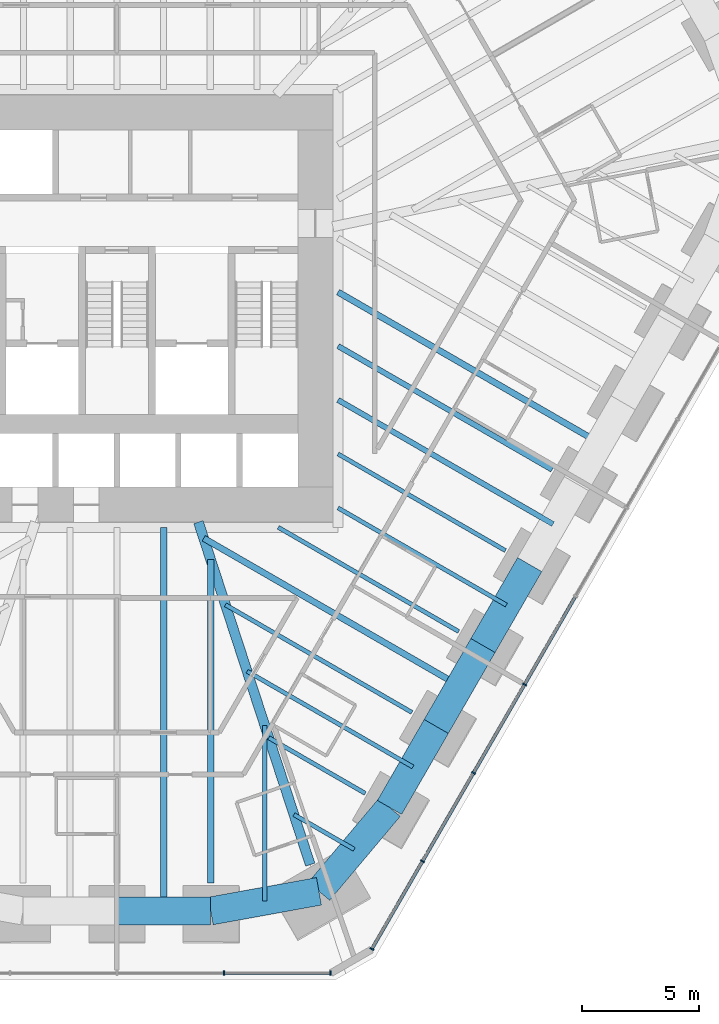
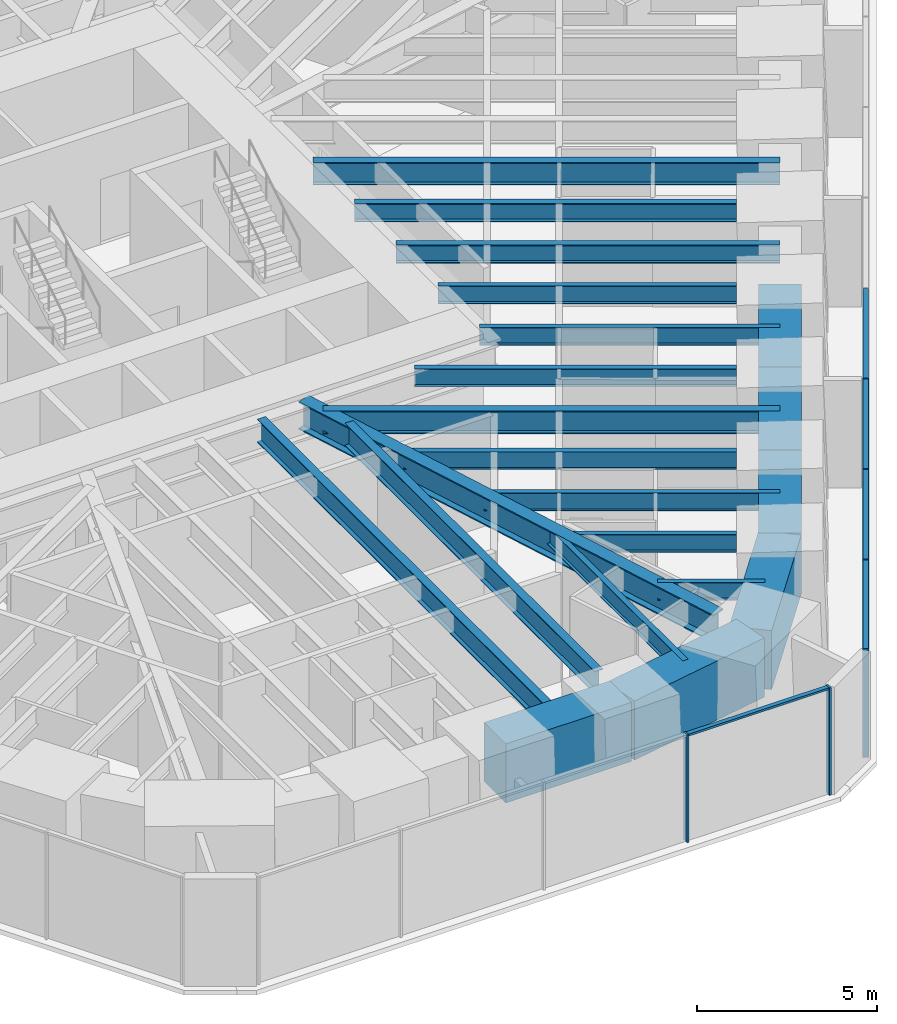
# One storey, part 5 of 17: 21 beams, 11 members, 2 elements without a shape of their own.
"""IFC4 building model written with IfcOpenShell, lengths in metres."""

from ifc_helpers import new_model, si_unit, direction, frame, origin, origin_2d, place, context, subcontext, project, spatial, rectangle, i_section, extrude, material, material_profile, profile_set, type_object, element, aggregate, save


model = new_model("IFC4")

# Units and contexts
model_context = context("Model", 3, precision=1e-05, world=origin(), true_north=direction((0.0, 1.0)))
body_context = subcontext(model_context, "Body", "Model", "MODEL_VIEW")
ifc_project = project(units=[si_unit("LENGTHUNIT", "METRE"), si_unit("AREAUNIT", "SQUARE_METRE"), si_unit("VOLUMEUNIT", "CUBIC_METRE"), si_unit("PLANEANGLEUNIT", "RADIAN"), si_unit("MASSUNIT", "GRAM", prefix="KILO")], contexts=[model_context])

# Site, building, storey
site_placement = place(None, origin())
site = spatial("IfcSite", under=ifc_project, at=site_placement, CompositionType="ELEMENT")
building_placement = place(site_placement, origin())
building = spatial("IfcBuilding", under=site, at=building_placement, Name="Sandreach Pilgrim Tower", CompositionType="ELEMENT")
storey_placement = place(building_placement, frame((0.0, 0.0, 83.800048828125)))
storey = spatial("IfcBuildingStorey", under=building, at=storey_placement, Name="L20", CompositionType="ELEMENT", Elevation=83.800048828125)

# Curtain wall, members
ifc_material_1 = material(Name="Aluminium framed curtain wall", Category="aluminium")
curtain_wall_type = type_object("IfcCurtainWallType", Name="Hostel tower curtain wall", PredefinedType="NOTDEFINED", material=ifc_material_1)
curtain_wall_1_placement = place(storey_placement, origin())
curtain_wall_1 = element("IfcCurtainWall", 1, at=curtain_wall_1_placement, inside=storey, type_object=curtain_wall_type, Name="CW-1 L20 SE", PredefinedType="NOTDEFINED")
ifc_material_2 = material(Name="Aluminium extrusion", Category="aluminium")
ifc_material_profile_1 = material_profile(ifc_material_2, rectangle(XDim=0.06494140625, YDim=0.179931640625, at=origin_2d()), Name="CW-1M 65X180")
ifc_profile_set_1 = profile_set([ifc_material_profile_1], Name="Aluminium extrusion")
member_type_1 = type_object("IfcMemberType", Name="CW-1 mullion", PredefinedType="MULLION", material=ifc_profile_set_1)
member_1_placement = place(storey_placement, frame((17.46142578125, -17.6533203125, 0.0), z_axis=(0.0, 0.0, 1.0), x_axis=(-0.5, -0.866025403784, 0.0)))
member_1 = element("IfcMember", 2, at=member_1_placement, type_object=member_type_1, Name="CW-1 mullion 7", PredefinedType="MULLION", context=body_context, shape_type="SweptSolid", body=[
    extrude(rectangle(XDim=0.06494140625, YDim=0.179931640625, at=origin_2d()), origin(), (0.0, 0.0, 1.0), 3.639892578125),
])
member_2_placement = place(storey_placement, frame((15.275634765625, -21.439208984375, 0.0), z_axis=(0.0, 0.0, 1.0), x_axis=(-0.5, -0.866025403784, 0.0)))
member_2 = element("IfcMember", 3, at=member_2_placement, type_object=member_type_1, Name="CW-1 mullion 8", PredefinedType="MULLION", context=body_context, shape_type="SweptSolid", body=[
    extrude(rectangle(XDim=0.06494140625, YDim=0.179931640625, at=origin_2d()), origin(), (0.0, 0.0, 1.0), 3.639892578125),
])
member_3_placement = place(storey_placement, frame((13.08984375, -25.22509765625, 0.0), z_axis=(0.0, 0.0, 1.0), x_axis=(-0.5, -0.866025403784, 0.0)))
member_3 = element("IfcMember", 4, at=member_3_placement, type_object=member_type_1, Name="CW-1 mullion 9", PredefinedType="MULLION", context=body_context, shape_type="SweptSolid", body=[
    extrude(rectangle(XDim=0.06494140625, YDim=0.179931640625, at=origin_2d()), origin(), (0.0, 0.0, 1.0), 3.639892578125),
])
member_4_placement = place(storey_placement, frame((10.92041015625, -28.982666015625, 0.0), z_axis=(0.0, 0.0, 1.0), x_axis=(-0.5, -0.866025403784, 0.0)))
member_4 = element("IfcMember", 5, at=member_4_placement, type_object=member_type_1, Name="CW-1 mullion 10", PredefinedType="MULLION", context=body_context, shape_type="SweptSolid", body=[
    extrude(rectangle(XDim=0.06494140625, YDim=0.179931640625, at=origin_2d()), origin(), (0.0, 0.0, 1.0), 3.639892578125),
])

curtain_wall_2_placement = place(storey_placement, origin())
curtain_wall_2 = element("IfcCurtainWall", 6, at=curtain_wall_2_placement, inside=storey, type_object=curtain_wall_type, Name="CW-1 L20 S", PredefinedType="NOTDEFINED")
member_5_placement = place(storey_placement, frame((9.1396484375, -30.010986328125, 0.0), z_axis=(0.0, 0.0, 1.0), x_axis=(-1.0, 0.0, 0.0)))
member_5 = element("IfcMember", 7, at=member_5_placement, type_object=member_type_1, Name="CW-1 mullion 1", PredefinedType="MULLION", context=body_context, shape_type="SweptSolid", body=[
    extrude(rectangle(XDim=0.06494140625, YDim=0.179931640625, at=origin_2d()), origin(), (0.0, 0.0, 1.0), 3.639892578125),
])
member_6_placement = place(storey_placement, frame((4.5859375, -30.010986328125, 0.0), z_axis=(0.0, 0.0, 1.0), x_axis=(-1.0, 0.0, 0.0)))
member_6 = element("IfcMember", 8, at=member_6_placement, type_object=member_type_1, Name="CW-1 mullion 2", PredefinedType="MULLION", context=body_context, shape_type="SweptSolid", body=[
    extrude(rectangle(XDim=0.06494140625, YDim=0.179931640625, at=origin_2d()), origin(), (0.0, 0.0, 1.0), 3.639892578125),
])

# Member
ifc_material_3 = material(Name="Aluminium extrusion", Category="aluminium")
ifc_material_profile_2 = material_profile(ifc_material_3, rectangle(XDim=0.139892578125, YDim=0.070068359375, at=origin_2d()), Name="CW-1T 140X70")
ifc_profile_set_2 = profile_set([ifc_material_profile_2], Name="Aluminium extrusion")
member_type_2 = type_object("IfcMemberType", Name="CW-1 transom", PredefinedType="USERDEFINED", material=ifc_profile_set_2)
member_7_placement = place(storey_placement, frame((19.631103515625, -13.8955078125, 3.60498046875), z_axis=(-0.500016891966, -0.866015650984, 0.0), x_axis=(0.866015650984, -0.500016891966, 0.0)))
member_7 = element("IfcMember", 9, at=member_7_placement, type_object=member_type_2, Name="CW-1 head transom 6", ObjectType="TRANSOM", PredefinedType="USERDEFINED", context=body_context, shape_type="SweptSolid", body=[
    extrude(rectangle(XDim=0.139892578125, YDim=0.070068359375, at=origin_2d()), origin(), (0.0, 0.0, 1.0), 4.306396484375),
])

member_8_placement = place(storey_placement, frame((17.4453125, -17.681396484375, 3.60498046875), z_axis=(-0.500016891966, -0.866015650984, 0.0), x_axis=(0.866015650984, -0.500016891966, 0.0)))
member_8 = element("IfcMember", 10, at=member_8_placement, type_object=member_type_2, Name="CW-1 head transom 7", ObjectType="TRANSOM", PredefinedType="USERDEFINED", context=body_context, shape_type="SweptSolid", body=[
    extrude(rectangle(XDim=0.139892578125, YDim=0.070068359375, at=origin_2d()), origin(), (0.0, 0.0, 1.0), 4.306396484375),
])

member_9_placement = place(storey_placement, frame((15.259521484375, -21.46728515625, 3.60498046875), z_axis=(-0.500016891966, -0.866015650984, 0.0), x_axis=(0.866015650984, -0.500016891966, 0.0)))
member_9 = element("IfcMember", 11, at=member_9_placement, type_object=member_type_2, Name="CW-1 head transom 8", ObjectType="TRANSOM", PredefinedType="USERDEFINED", context=body_context, shape_type="SweptSolid", body=[
    extrude(rectangle(XDim=0.139892578125, YDim=0.070068359375, at=origin_2d()), origin(), (0.0, 0.0, 1.0), 4.306396484375),
])

member_10_placement = place(storey_placement, frame((13.07373046875, -25.253173828125, 3.60498046875), z_axis=(-0.500033953635, -0.866005799756, 0.0), x_axis=(0.866005799756, -0.500033953635, 0.0)))
member_10 = element("IfcMember", 12, at=member_10_placement, type_object=member_type_2, Name="CW-1 head transom 9", ObjectType="TRANSOM", PredefinedType="USERDEFINED", context=body_context, shape_type="SweptSolid", body=[
    extrude(rectangle(XDim=0.139892578125, YDim=0.070068359375, at=origin_2d()), origin(), (0.0, 0.0, 1.0), 4.274169921875),
])

aggregate(curtain_wall_1, [member_1, member_2, member_3, member_4, member_7, member_8, member_9, member_10])

member_11_placement = place(storey_placement, frame((9.107177734375, -30.010986328125, 3.60498046875), z_axis=(-1.0, 0.0, 0.0), x_axis=(0.0, -1.0, 0.0)))
member_11 = element("IfcMember", 13, at=member_11_placement, type_object=member_type_2, Name="CW-1 head transom 1", ObjectType="TRANSOM", PredefinedType="USERDEFINED", context=body_context, shape_type="SweptSolid", body=[
    extrude(rectangle(XDim=0.139892578125, YDim=0.070068359375, at=origin_2d()), origin(), (0.0, 0.0, 1.0), 4.488525390625),
])

aggregate(curtain_wall_2, [member_5, member_6, member_11])

# Beams
ifc_material_4 = material(Name="Steel ASTM A992 Grade 50", Category="steel")
ifc_material_profile_3 = material_profile(ifc_material_4, i_section(OverallWidth=0.421630859375, OverallDepth=0.937255859375, WebThickness=0.0224609375, FlangeThickness=0.039794921875, at=origin_2d()), Name="W36X282")
ifc_profile_set_3 = profile_set([ifc_material_profile_3], Name="Steel ASTM A992 Grade 50")
beam_type_1 = type_object("IfcBeamType", Name="Corner girder W36X282", PredefinedType="BEAM", material=ifc_profile_set_3)
beam_1_placement = place(storey_placement, frame((8.2822265625, -25.372314453125, 3.17138671875), z_axis=(-0.310318350316, 0.950632695344, 0.0), x_axis=(-0.950632695344, -0.310318350316, 0.0)))
element("IfcBeam", 14, at=beam_1_placement, inside=storey, type_object=beam_type_1, Name="BM L20 CG22", PredefinedType="BEAM", context=body_context, shape_type="SweptSolid", body=[
    extrude(i_section(OverallWidth=0.421630859375, OverallDepth=0.937255859375, WebThickness=0.0224609375, FlangeThickness=0.039794921875, at=origin_2d()), origin(), (0.0, 0.0, 1.0), 15.434326171875),
])
ifc_material_5 = material(Name="Steel ASTM A992 Grade 50", Category="steel")
ifc_material_profile_4 = material_profile(ifc_material_5, i_section(OverallWidth=0.1787109375, OverallDepth=0.60205078125, WebThickness=0.010986328125, FlangeThickness=0.014892578125, at=origin_2d()), Name="W24X62")
ifc_profile_set_4 = profile_set([ifc_material_profile_4], Name="Steel ASTM A992 Grade 50")
beam_type_2 = type_object("IfcBeamType", Name="Floor beam W24X62", PredefinedType="BEAM", material=ifc_profile_set_4)
beam_2_placement = place(storey_placement, frame((16.641845703125, -11.919189453125, 3.3388671875), z_axis=(-0.866013213425, 0.500021113727, 0.0), x_axis=(-0.500021113727, -0.866013213425, 0.0)))
element("IfcBeam", 15, at=beam_2_placement, inside=storey, type_object=beam_type_2, Name="BM L20 F18", PredefinedType="BEAM", context=body_context, shape_type="SweptSolid", body=[
    extrude(i_section(OverallWidth=0.1787109375, OverallDepth=0.60205078125, WebThickness=0.010986328125, FlangeThickness=0.014892578125, at=origin_2d()), origin(), (0.0, 0.0, 1.0), 8.279052734375),
])
beam_3_placement = place(storey_placement, frame((14.640380859375, -15.385498046875, 3.3388671875), z_axis=(-0.866022991108, 0.500004178855, 0.0), x_axis=(-0.500004178855, -0.866022991108, 0.0)))
element("IfcBeam", 16, at=beam_3_placement, inside=storey, type_object=beam_type_2, Name="BM L20 F19", PredefinedType="BEAM", context=body_context, shape_type="SweptSolid", body=[
    extrude(i_section(OverallWidth=0.1787109375, OverallDepth=0.60205078125, WebThickness=0.010986328125, FlangeThickness=0.014892578125, at=origin_2d()), origin(), (0.0, 0.0, 1.0), 8.9267578125),
])
beam_4_placement = place(storey_placement, frame((12.63916015625, -18.85205078125, 3.3388671875), z_axis=(-0.866018602839, 0.500011779398, 0.0), x_axis=(-0.500011779398, -0.866018602839, 0.0)))
element("IfcBeam", 17, at=beam_4_placement, inside=storey, type_object=beam_type_2, Name="BM L20 F20", PredefinedType="BEAM", context=body_context, shape_type="SweptSolid", body=[
    extrude(i_section(OverallWidth=0.1787109375, OverallDepth=0.60205078125, WebThickness=0.010986328125, FlangeThickness=0.014892578125, at=origin_2d()), origin(), (0.0, 0.0, 1.0), 9.227783203125),
])
beam_5_placement = place(storey_placement, frame((10.6376953125, -22.318359375, 3.3388671875), z_axis=(-0.866020229892, 0.500008961337, 0.0), x_axis=(-0.500008961337, -0.866020229892, 0.0)))
element("IfcBeam", 18, at=beam_5_placement, inside=storey, type_object=beam_type_2, Name="BM L20 F21", PredefinedType="BEAM", context=body_context, shape_type="SweptSolid", body=[
    extrude(i_section(OverallWidth=0.1787109375, OverallDepth=0.60205078125, WebThickness=0.010986328125, FlangeThickness=0.014892578125, at=origin_2d()), origin(), (0.0, 0.0, 1.0), 4.77001953125),
])
beam_6_placement = place(storey_placement, frame((16.680419921875, -14.252197265625, 3.3388671875), z_axis=(-0.866028791134, 0.499994132893, 0.0), x_axis=(-0.499994132893, -0.866028791134, 0.0)))
element("IfcBeam", 19, at=beam_6_placement, inside=storey, type_object=beam_type_2, Name="BM L20 FM18", PredefinedType="BEAM", context=body_context, shape_type="SweptSolid", body=[
    extrude(i_section(OverallWidth=0.1787109375, OverallDepth=0.60205078125, WebThickness=0.010986328125, FlangeThickness=0.014892578125, at=origin_2d()), origin(), (0.0, 0.0, 1.0), 8.3232421875),
])
beam_7_placement = place(storey_placement, frame((12.677734375, -21.18505859375, 3.3388671875), z_axis=(-0.866033852062, 0.499985366868, 0.0), x_axis=(-0.499985366868, -0.866033852062, 0.0)))
element("IfcBeam", 20, at=beam_7_placement, inside=storey, type_object=beam_type_2, Name="BM L20 FM20", PredefinedType="BEAM", context=body_context, shape_type="SweptSolid", body=[
    extrude(i_section(OverallWidth=0.1787109375, OverallDepth=0.60205078125, WebThickness=0.010986328125, FlangeThickness=0.014892578125, at=origin_2d()), origin(), (0.0, 0.0, 1.0), 8.198974609375),
])
beam_8_placement = place(storey_placement, frame((10.165771484375, -24.7158203125, 3.3388671875), z_axis=(-0.866009892282, 0.500026865748, 0.0), x_axis=(-0.500026865748, -0.866009892282, 0.0)))
element("IfcBeam", 21, at=beam_8_placement, inside=storey, type_object=beam_type_2, Name="BM L20 FM21", PredefinedType="BEAM", context=body_context, shape_type="SweptSolid", body=[
    extrude(i_section(OverallWidth=0.1787109375, OverallDepth=0.60205078125, WebThickness=0.010986328125, FlangeThickness=0.014892578125, at=origin_2d()), origin(), (0.0, 0.0, 1.0), 2.985107421875),
])
beam_9_placement = place(storey_placement, frame((6.3359375, -26.933837890625, 3.3388671875), z_axis=(0.0, 1.0, 0.0), x_axis=(-1.0, 0.0, 0.0)))
element("IfcBeam", 22, at=beam_9_placement, inside=storey, type_object=beam_type_2, Name="BM L20 FM22", PredefinedType="BEAM", context=body_context, shape_type="SweptSolid", body=[
    extrude(i_section(OverallWidth=0.1787109375, OverallDepth=0.60205078125, WebThickness=0.010986328125, FlangeThickness=0.014892578125, at=origin_2d()), origin(), (0.0, 0.0, 1.0), 7.52392578125),
])
ifc_material_6 = material(Name="Steel ASTM A992 Grade 50", Category="steel")
ifc_material_profile_5 = material_profile(ifc_material_6, i_section(OverallWidth=0.23046875, OverallDepth=0.6171875, WebThickness=0.01318359375, FlangeThickness=0.022216796875, at=origin_2d()), Name="W24X94")
ifc_profile_set_5 = profile_set([ifc_material_profile_5], Name="Steel ASTM A992 Grade 50")
beam_type_3 = type_object("IfcBeamType", Name="Floor beam W24X94", PredefinedType="BEAM", material=ifc_profile_set_5)
beam_10_placement = place(storey_placement, frame((18.64306640625, -8.45263671875, 3.331298828125), z_axis=(-0.866021265955, 0.500007166863, 0.0), x_axis=(-0.500007166863, -0.866021265955, 0.0)))
element("IfcBeam", 23, at=beam_10_placement, inside=storey, type_object=beam_type_3, Name="BM L20 F17", PredefinedType="BEAM", context=body_context, shape_type="SweptSolid", body=[
    extrude(i_section(OverallWidth=0.23046875, OverallDepth=0.6171875, WebThickness=0.01318359375, FlangeThickness=0.022216796875, at=origin_2d()), origin(), (0.0, 0.0, 1.0), 10.589599609375),
])
beam_11_placement = place(storey_placement, frame((18.681640625, -10.785888671875, 3.331298828125), z_axis=(-0.866023483693, 0.500003325681, 0.0), x_axis=(-0.500003325681, -0.866023483693, 0.0)))
element("IfcBeam", 24, at=beam_11_placement, inside=storey, type_object=beam_type_3, Name="BM L20 FM17", PredefinedType="BEAM", context=body_context, shape_type="SweptSolid", body=[
    extrude(i_section(OverallWidth=0.23046875, OverallDepth=0.6171875, WebThickness=0.01318359375, FlangeThickness=0.022216796875, at=origin_2d()), origin(), (0.0, 0.0, 1.0), 10.63427734375),
])
ifc_material_7 = material(Name="Steel ASTM A992 Grade 50", Category="steel")
ifc_material_profile_6 = material_profile(ifc_material_7, i_section(OverallWidth=0.2666015625, OverallDepth=0.761962890625, WebThickness=0.014404296875, FlangeThickness=0.021484375, at=origin_2d()), Name="W30X116")
ifc_profile_set_6 = profile_set([ifc_material_profile_6], Name="Steel ASTM A992 Grade 50")
beam_type_4 = type_object("IfcBeamType", Name="Floor beam W30X116", PredefinedType="BEAM", material=ifc_profile_set_6)
beam_12_placement = place(storey_placement, frame((4.017333984375, -26.15478515625, 3.259033203125), z_axis=(0.0, 1.0, 0.0), x_axis=(-1.0, 0.0, 0.0)))
element("IfcBeam", 25, at=beam_12_placement, inside=storey, type_object=beam_type_4, Name="BM L20 F23", PredefinedType="BEAM", context=body_context, shape_type="SweptSolid", body=[
    extrude(i_section(OverallWidth=0.2666015625, OverallDepth=0.761962890625, WebThickness=0.014404296875, FlangeThickness=0.021484375, at=origin_2d()), origin(), (0.0, 0.0, 1.0), 13.847900390625),
])
beam_13_placement = place(storey_placement, frame((20.68310546875, -7.319580078125, 3.259033203125), z_axis=(-0.866024786089, 0.500001069878, 0.0), x_axis=(-0.500001069878, -0.866024786089, 0.0)))
element("IfcBeam", 26, at=beam_13_placement, inside=storey, type_object=beam_type_4, Name="BM L20 FM16", PredefinedType="BEAM", context=body_context, shape_type="SweptSolid", body=[
    extrude(i_section(OverallWidth=0.2666015625, OverallDepth=0.761962890625, WebThickness=0.014404296875, FlangeThickness=0.021484375, at=origin_2d()), origin(), (0.0, 0.0, 1.0), 12.9453125),
])
beam_14_placement = place(storey_placement, frame((14.678955078125, -17.71875, 3.259033203125), z_axis=(-0.866018223127, 0.500012437057, 0.0), x_axis=(-0.500012437057, -0.866018223127, 0.0)))
element("IfcBeam", 27, at=beam_14_placement, inside=storey, type_object=beam_type_4, Name="BM L20 FM19", PredefinedType="BEAM", context=body_context, shape_type="SweptSolid", body=[
    extrude(i_section(OverallWidth=0.2666015625, OverallDepth=0.761962890625, WebThickness=0.014404296875, FlangeThickness=0.021484375, at=origin_2d()), origin(), (0.0, 0.0, 1.0), 12.656494140625),
])
ifc_material_8 = material(Name="Steel ASTM A992 Grade 50", Category="steel")
ifc_material_profile_7 = material_profile(ifc_material_8, i_section(OverallWidth=0.2666015625, OverallDepth=0.77978515625, WebThickness=0.0166015625, FlangeThickness=0.030029296875, at=origin_2d()), Name="W30X148")
ifc_profile_set_7 = profile_set([ifc_material_profile_7], Name="Steel ASTM A992 Grade 50")
beam_type_5 = type_object("IfcBeamType", Name="Floor beam W30X148", PredefinedType="BEAM", material=ifc_profile_set_7)
beam_15_placement = place(storey_placement, frame((2.008544921875, -27.354736328125, 3.25), z_axis=(0.0, 1.0, 0.0), x_axis=(-1.0, 0.0, 0.0)))
element("IfcBeam", 28, at=beam_15_placement, inside=storey, type_object=beam_type_5, Name="BM L20 FM23", PredefinedType="BEAM", context=body_context, shape_type="SweptSolid", body=[
    extrude(i_section(OverallWidth=0.2666015625, OverallDepth=0.77978515625, WebThickness=0.0166015625, FlangeThickness=0.030029296875, at=origin_2d()), origin(), (0.0, 0.0, 1.0), 16.4326171875),
])
ifc_material_9 = material(Name="Concrete 10000 psi", Category="concrete")
ifc_material_profile_8 = material_profile(ifc_material_9, rectangle(XDim=1.199951171875, YDim=2.0, at=origin_2d()), Name="RC1200X2000")
ifc_profile_set_8 = profile_set([ifc_material_profile_8], Name="Concrete 10000 psi")
beam_type_6 = type_object("IfcBeamType", Name="Spandrel beam RC1200X2000", PredefinedType="SPANDREL", material=ifc_profile_set_8)
beam_16_placement = place(storey_placement, frame((17.68115234375, -12.51904296875, 2.639892578125), z_axis=(-0.500009310088, -0.866020028536, 0.0), x_axis=(0.866020028536, -0.500009310088, 0.0)))
element("IfcBeam", 29, at=beam_16_placement, inside=storey, type_object=beam_type_6, Name="BM L20 SP18", PredefinedType="SPANDREL", context=body_context, shape_type="SweptSolid", body=[
    extrude(rectangle(XDim=1.199951171875, YDim=2.0, at=origin_2d()), origin(), (0.0, 0.0, 1.0), 4.0029296875),
])
beam_17_placement = place(storey_placement, frame((15.6796875, -15.985595703125, 2.639892578125), z_axis=(-0.499989975679, -0.866031191252, 0.0), x_axis=(0.866031191252, -0.499989975679, 0.0)))
element("IfcBeam", 30, at=beam_17_placement, inside=storey, type_object=beam_type_6, Name="BM L20 SP19", PredefinedType="SPANDREL", context=body_context, shape_type="SweptSolid", body=[
    extrude(rectangle(XDim=1.199951171875, YDim=2.0, at=origin_2d()), origin(), (0.0, 0.0, 1.0), 4.00244140625),
])
beam_18_placement = place(storey_placement, frame((13.678466796875, -19.451904296875, 2.639892578125), z_axis=(-0.500009310088, -0.866020028536, 0.0), x_axis=(0.866020028536, -0.500009310088, 0.0)))
element("IfcBeam", 31, at=beam_18_placement, inside=storey, type_object=beam_type_6, Name="BM L20 SP20", PredefinedType="SPANDREL", context=body_context, shape_type="SweptSolid", body=[
    extrude(rectangle(XDim=1.199951171875, YDim=2.0, at=origin_2d()), origin(), (0.0, 0.0, 1.0), 4.0029296875),
])
beam_19_placement = place(storey_placement, frame((11.677001953125, -22.91845703125, 2.639892578125), z_axis=(-0.643552874464, -0.765401657804, 0.0), x_axis=(0.765401657804, -0.643552874464, 0.0)))
element("IfcBeam", 32, at=beam_19_placement, inside=storey, type_object=beam_type_6, Name="BM L20 SP21", PredefinedType="SPANDREL", context=body_context, shape_type="SweptSolid", body=[
    extrude(rectangle(XDim=1.199951171875, YDim=2.0, at=origin_2d()), origin(), (0.0, 0.0, 1.0), 4.696533203125),
])
beam_20_placement = place(storey_placement, frame((8.654541015625, -26.51318359375, 2.639892578125), z_axis=(-0.983928704026, -0.178561769126, 0.0), x_axis=(0.178561769126, -0.983928704026, 0.0)))
element("IfcBeam", 33, at=beam_20_placement, inside=storey, type_object=beam_type_6, Name="BM L20 SP22", PredefinedType="SPANDREL", context=body_context, shape_type="SweptSolid", body=[
    extrude(rectangle(XDim=1.199951171875, YDim=2.0, at=origin_2d()), origin(), (0.0, 0.0, 1.0), 4.712890625),
])
beam_21_placement = place(storey_placement, frame((4.017333984375, -27.354736328125, 2.639892578125), z_axis=(-1.0, 0.0, 0.0), x_axis=(0.0, -1.0, 0.0)))
element("IfcBeam", 34, at=beam_21_placement, inside=storey, type_object=beam_type_6, Name="BM L20 SP23", PredefinedType="SPANDREL", context=body_context, shape_type="SweptSolid", body=[
    extrude(rectangle(XDim=1.199951171875, YDim=2.0, at=origin_2d()), origin(), (0.0, 0.0, 1.0), 4.017333984375),
])

save(model, "model.ifc")
